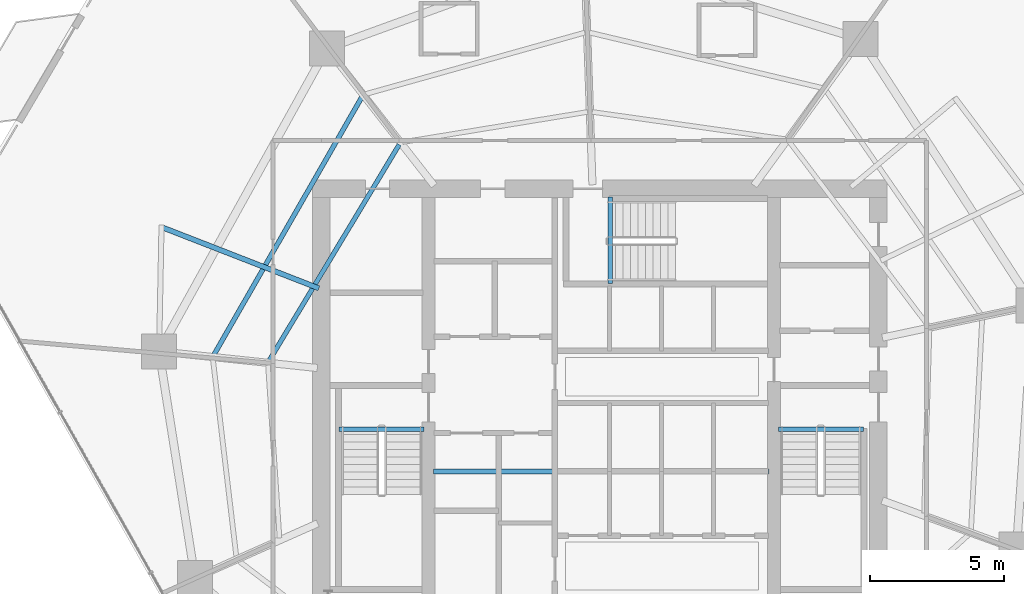
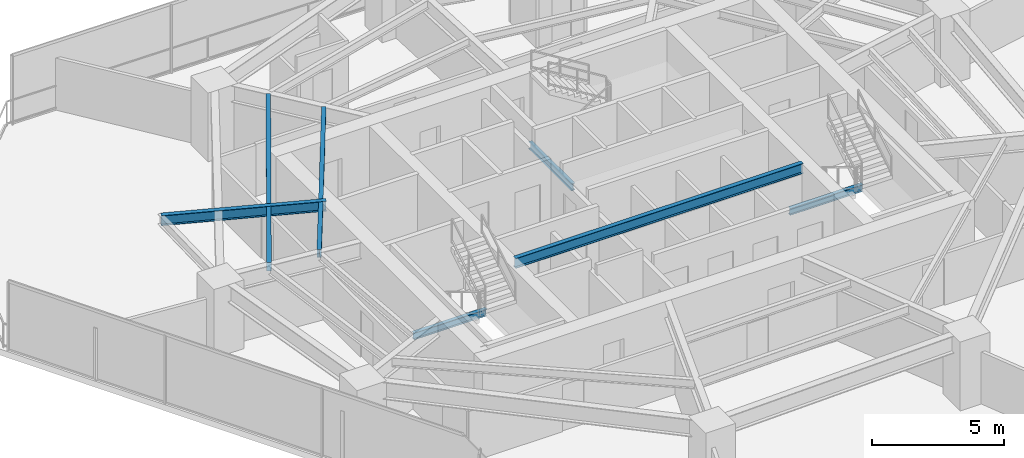
# One storey, part 10 of 31: 7 beams.
"""IFC4 building model written with IfcOpenShell, lengths in metres."""

from ifc_helpers import new_model, si_unit, direction, frame, origin, origin_2d, place, context, subcontext, project, spatial, i_section, extrude, material, material_profile, profile_set, type_object, element, save


model = new_model("IFC4")

# Units and contexts
model_context = context("Model", 3, precision=1e-05, world=origin(), true_north=direction((0.0, 1.0)))
body_context = subcontext(model_context, "Body", "Model", "MODEL_VIEW")
ifc_project = project(units=[si_unit("LENGTHUNIT", "METRE"), si_unit("AREAUNIT", "SQUARE_METRE"), si_unit("VOLUMEUNIT", "CUBIC_METRE"), si_unit("PLANEANGLEUNIT", "RADIAN"), si_unit("MASSUNIT", "GRAM", prefix="KILO")], contexts=[model_context])

# Site, building, storey
site_placement = place(None, origin())
site = spatial("IfcSite", under=ifc_project, at=site_placement, CompositionType="ELEMENT")
building_placement = place(site_placement, origin())
building = spatial("IfcBuilding", under=site, at=building_placement, Name="Qarnah Convention Tower", CompositionType="ELEMENT")
storey_placement = place(building_placement, frame((0.0, 0.0, 64.949951171875)))
storey = spatial("IfcBuildingStorey", under=building, at=storey_placement, Name="L16", CompositionType="ELEMENT", Elevation=64.949951171875)

# Beams
ifc_material = material(Name="Structural steel S355JR", Category="steel")
ifc_material_profile_1 = material_profile(ifc_material, i_section(OverallWidth=0.19189453125, OverallDepth=0.464111328125, WebThickness=0.010986328125, FlangeThickness=0.01806640625, at=origin_2d()), Name="W460X89")
ifc_profile_set_1 = profile_set([ifc_material_profile_1], Name="Structural steel S355JR")
beam_type_1 = type_object("IfcBeamType", Name="BM-CANT-W460A", PredefinedType="BEAM", material=ifc_profile_set_1)
beam_1_placement = place(storey_placement, frame((30.97998046875, 23.64990234375, 2.93798828125), z_axis=(1.0, 0.0, 0.0), x_axis=(0.0, 1.0, 0.0)))
element("IfcBeam", 1, at=beam_1_placement, inside=storey, type_object=beam_type_1, Name="L16 beam BM-L16-KC1", PredefinedType="BEAM", context=body_context, shape_type="SweptSolid", body=[
    extrude(i_section(OverallWidth=0.19189453125, OverallDepth=0.464111328125, WebThickness=0.010986328125, FlangeThickness=0.01806640625, at=origin_2d()), origin(), (0.0, 0.0, 1.0), 12.5400390625),
])
beam_2_placement = place(storey_placement, frame((26.70703125, 30.48388671875, 2.93798828125), z_axis=(-0.931897088326, 0.36272278226, 0.0), x_axis=(-0.36272278226, -0.931897088326, 0.0)))
element("IfcBeam", 2, at=beam_2_placement, inside=storey, type_object=beam_type_1, Name="L16 beam BM-L16-CNT-02-1", PredefinedType="BEAM", context=body_context, shape_type="SweptSolid", body=[
    extrude(i_section(OverallWidth=0.19189453125, OverallDepth=0.464111328125, WebThickness=0.010986328125, FlangeThickness=0.01806640625, at=origin_2d()), origin(), (0.0, 0.0, 1.0), 6.305419921875),
])
ifc_material_profile_2 = material_profile(ifc_material, i_section(OverallWidth=0.166015625, OverallDepth=0.31201171875, WebThickness=0.007080078125, FlangeThickness=0.010986328125, at=origin_2d()), Name="W310X45")
ifc_profile_set_2 = profile_set([ifc_material_profile_2], Name="Structural steel S355JR")
beam_type_2 = type_object("IfcBeamType", Name="BM-JST-W310", PredefinedType="JOIST", material=ifc_profile_set_2)
for number, where, z_axis, x_axis, name in (
    (3, (27.4599609375, 25.217041015625, -0.156005859375), (1.0, 0.0, 0.0), (0.0, 1.0, 0.0), "L16 stair landing trimmer beam BM-L16-ST1-TRM"),
    (4, (43.860107421875, 25.217041015625, -0.156005859375), (1.0, 0.0, 0.0), (0.0, 1.0, 0.0), "L16 stair landing trimmer beam BM-L16-ST2-TRM"),
):
    element("IfcBeam", number, at=place(storey_placement, frame(where, z_axis=z_axis, x_axis=x_axis)), inside=storey, type_object=beam_type_2, Name=name, PredefinedType="BEAM", context=body_context, shape_type="SweptSolid", body=[
        extrude(i_section(OverallWidth=0.166015625, OverallDepth=0.31201171875, WebThickness=0.007080078125, FlangeThickness=0.010986328125, at=origin_2d()), origin(), (0.0, 0.0, 1.0), 3.179931640625),
    ])
beam_3_placement = place(storey_placement, frame((37.5830078125, 30.659912109375, -0.156005859375), z_axis=(0.0, 1.0, 0.0), x_axis=(-1.0, 0.0, 0.0)))
element("IfcBeam", 5, at=beam_3_placement, inside=storey, type_object=beam_type_2, Name="L16 stair landing trimmer beam BM-L16-ST3-TRM", PredefinedType="BEAM", context=body_context, shape_type="SweptSolid", body=[
    extrude(i_section(OverallWidth=0.166015625, OverallDepth=0.31201171875, WebThickness=0.007080078125, FlangeThickness=0.010986328125, at=origin_2d()), origin(), (0.0, 0.0, 1.0), 3.239990234375),
])
ifc_material_profile_3 = material_profile(ifc_material, i_section(OverallWidth=0.172119140625, OverallDepth=0.35595703125, WebThickness=0.007080078125, FlangeThickness=0.011962890625, at=origin_2d()), Name="W360X51")
ifc_profile_set_3 = profile_set([ifc_material_profile_3], Name="Structural steel S355JR")
beam_type_3 = type_object("IfcBeamType", Name="BM-JST-W360", PredefinedType="JOIST", material=ifc_profile_set_3)
beam_4_placement = place(storey_placement, frame((29.708984375, 35.85302734375, 2.991943359375), z_axis=(-0.515919880383, -0.856636840805, 0.0), x_axis=(0.856636840805, -0.515919880383, 0.0)))
element("IfcBeam", 6, at=beam_4_placement, inside=storey, type_object=beam_type_3, Name="L16 joist BM-L16-IJST-04", PredefinedType="JOIST", context=body_context, shape_type="SweptSolid", body=[
    extrude(i_section(OverallWidth=0.172119140625, OverallDepth=0.35595703125, WebThickness=0.007080078125, FlangeThickness=0.011962890625, at=origin_2d()), origin(), (0.0, 0.0, 1.0), 9.424072265625),
])
ifc_material_profile_4 = material_profile(ifc_material, i_section(OverallWidth=0.177978515625, OverallDepth=0.407958984375, WebThickness=0.008056640625, FlangeThickness=0.012939453125, at=origin_2d()), Name="W410X60")
ifc_profile_set_4 = profile_set([ifc_material_profile_4], Name="Structural steel S355JR")
beam_type_4 = type_object("IfcBeamType", Name="BM-JST-W410", PredefinedType="JOIST", material=ifc_profile_set_4)
beam_5_placement = place(storey_placement, frame((28.31689453125, 37.634033203125, 2.966064453125), z_axis=(-0.497881902543, -0.867244839201, 0.0), x_axis=(0.867244839201, -0.497881902543, 0.0)))
element("IfcBeam", 7, at=beam_5_placement, inside=storey, type_object=beam_type_4, Name="L16 joist BM-L16-SJST-04", PredefinedType="JOIST", context=body_context, shape_type="SweptSolid", body=[
    extrude(i_section(OverallWidth=0.177978515625, OverallDepth=0.407958984375, WebThickness=0.008056640625, FlangeThickness=0.012939453125, at=origin_2d()), origin(), (0.0, 0.0, 1.0), 11.111083984375),
])

save(model, "model.ifc")
